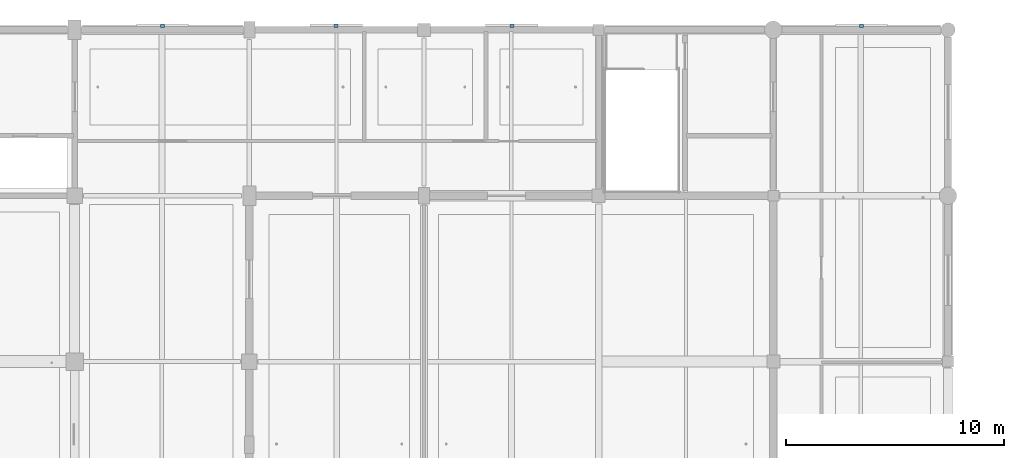
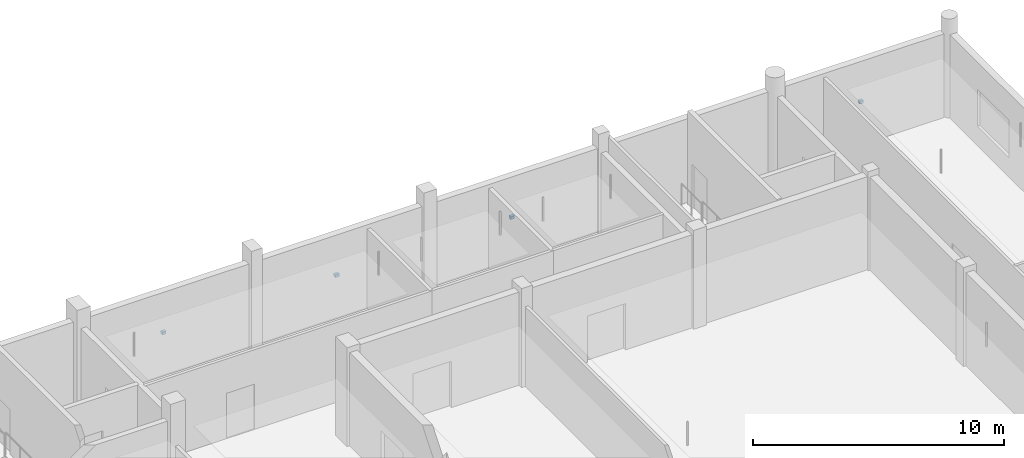
# One storey, part 124 of 141: 4 discrete accessories.
"""IFC4 building model written with IfcOpenShell, lengths in metres."""

from ifc_helpers import new_model, si_unit, direction, frame, origin, origin_2d, place, context, subcontext, project, spatial, rectangle, extrude, material, type_object, element, save


model = new_model("IFC4")

# Units and contexts
model_context = context("Model", 3, precision=1e-05, world=origin(), true_north=direction((0.0, 1.0)))
body_context = subcontext(model_context, "Body", "Model", "MODEL_VIEW")
ifc_project = project(units=[si_unit("LENGTHUNIT", "METRE"), si_unit("AREAUNIT", "SQUARE_METRE"), si_unit("VOLUMEUNIT", "CUBIC_METRE"), si_unit("PLANEANGLEUNIT", "RADIAN"), si_unit("MASSUNIT", "GRAM", prefix="KILO")], contexts=[model_context])

# Site, building, storey
site_placement = place(None, origin())
site = spatial("IfcSite", under=ifc_project, at=site_placement, CompositionType="ELEMENT")
building_placement = place(site_placement, origin())
building = spatial("IfcBuilding", under=site, at=building_placement, Name="Khelvaren Railside Concert Hall", CompositionType="ELEMENT")
storey_placement = place(building_placement, frame((0.0, 0.0, 10.199951171875)))
storey = spatial("IfcBuildingStorey", under=building, at=storey_placement, Name="L02", CompositionType="ELEMENT", Elevation=10.199951171875)

# Discrete accessories
ifc_material = material(Name="Architectural stainless steel Grade 316", Category="steel")
discrete_accessory_type = type_object("IfcDiscreteAccessoryType", Name="BRK87", PredefinedType="BRACKET", material=ifc_material)
for number, where, z_axis, x_axis, name in (
    (1, (12.02490234375, 114.18505859375, 1.7802734375), (0.0, 0.0, 1.0), (1.0, 0.0, 0.0), "Louvre Mounting Bracket EW-V4-L02-N-8"),
    (2, (19.97509765625, 114.18505859375, 1.7802734375), (0.0, 0.0, 1.0), (1.0, 0.0, 0.0), "Louvre Mounting Bracket EW-V4-L02-N-16"),
    (3, (28.02490234375, 114.18505859375, 1.7802734375), (0.0, 0.0, 1.0), (1.0, 0.0, 0.0), "Louvre Mounting Bracket EW-V4-L02-N-24"),
    (4, (44.03759765625, 114.18505859375, 1.7802734375), (0.0, 0.0, 1.0), (1.0, 0.0, 0.0), "Louvre Mounting Bracket EW-V4-L02-N-40"),
):
    element("IfcDiscreteAccessory", number, at=place(storey_placement, frame(where, z_axis=z_axis, x_axis=x_axis)), inside=storey, type_object=discrete_accessory_type, Name=name, PredefinedType="BRACKET", context=body_context, shape_type="SweptSolid", body=[
        extrude(rectangle(XDim=0.179931640625, YDim=0.139892578125, at=origin_2d()), origin(), (0.0, 0.0, 1.0), 0.139892578125),
    ])

save(model, "model.ifc")
